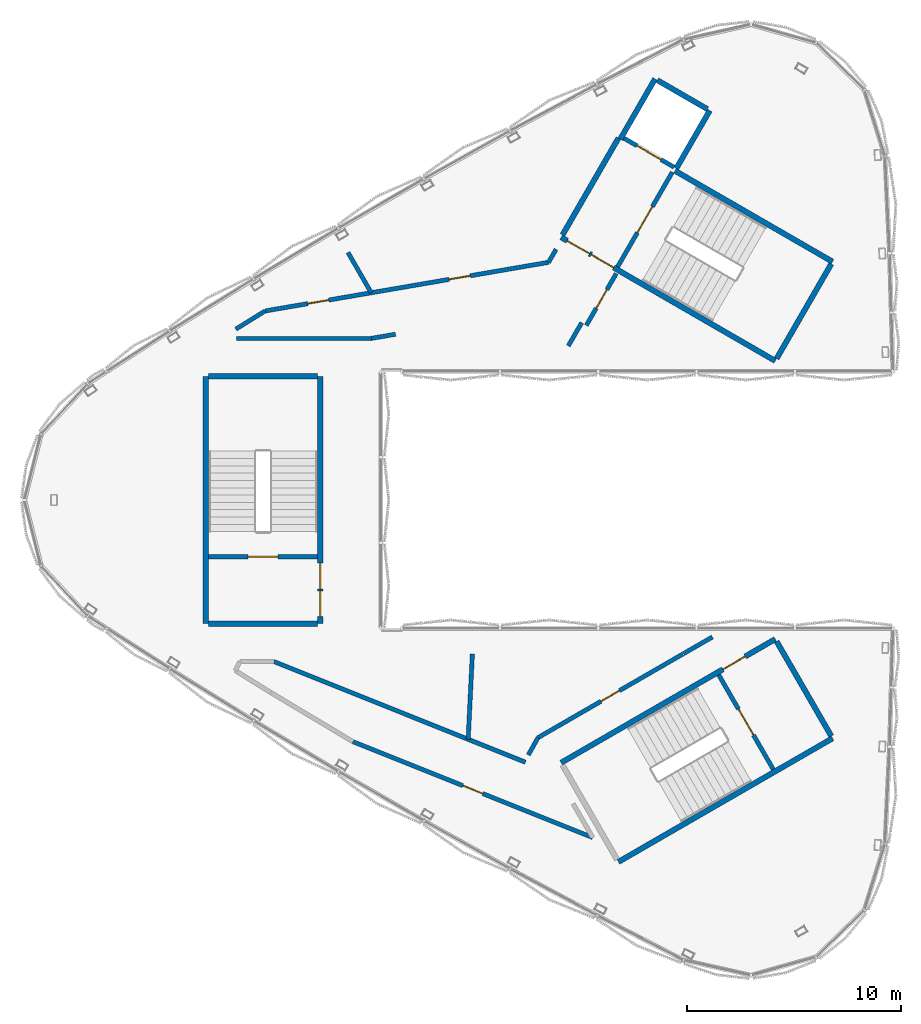
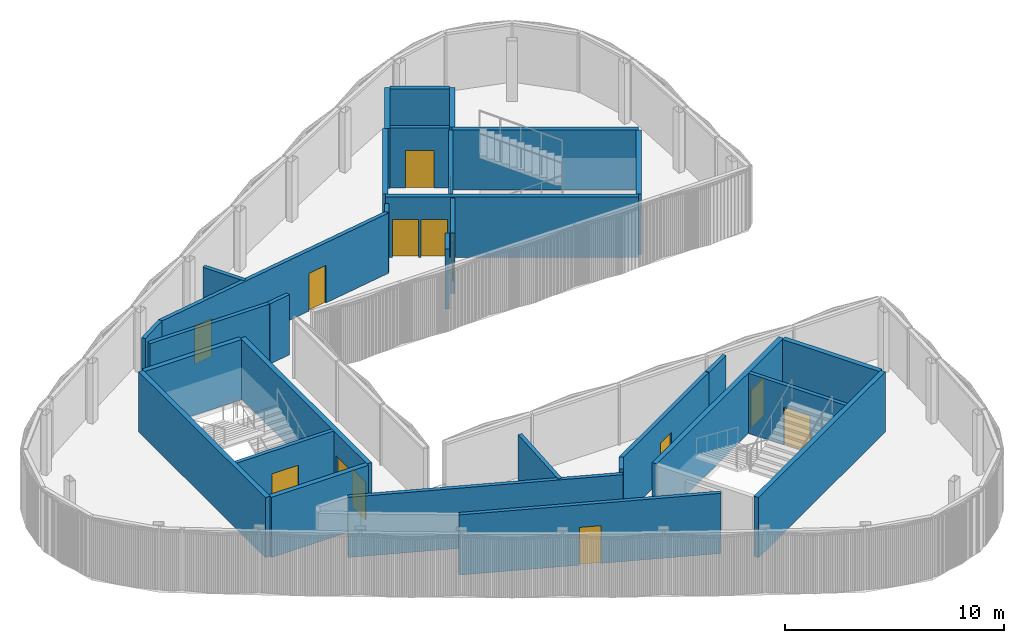
# One storey, part 6 of 16: 32 walls, 14 doors, 14 openings.
"""IFC4 building model written with IfcOpenShell, lengths in metres."""

import ifcopenshell
import ifcopenshell.guid

model = None  # the IFC model being written
_history = None  # IfcOwnerHistory: only IFC2X3 demands one
_inside = {}  # id of a spatial element -> (the spatial element, [elements in it])
_under = {}  # id of a project, library or spatial element -> (it, [spatial elements below it])
_declared = {}  # id of a project -> (the project, [libraries it declares])
_typed = {}  # id of a type object -> (the type object, [elements of that type])
_made_of = {}  # id of a material, layer set ... -> (it, [elements and type objects made of it])


def new_model(schema):
    """Start an empty IFC model of exactly this schema.

    Asked for "IFC4X3", IfcOpenShell would pick the latest addendum, in which some entities
    have other attributes; the version numbers below select the first issue.
    IFC2X3 requires an IfcOwnerHistory on every rooted entity: one is made here for all.
    """
    global model, _history
    if schema == "IFC4X3":
        model = ifcopenshell.file(schema_version=(4, 3, 0, 0))
    else:
        model = ifcopenshell.file(schema=schema)
    _inside.clear()
    _under.clear()
    _declared.clear()
    _typed.clear()
    _made_of.clear()
    _history = None
    if model.schema == "IFC2X3":
        org = make("IfcOrganization", Name="unknown")
        user = make(
            "IfcPersonAndOrganization",
            ThePerson=make("IfcPerson", FamilyName="unknown"),
            TheOrganization=org,
        )
        app = make(
            "IfcApplication",
            ApplicationDeveloper=org,
            Version="unknown",
            ApplicationFullName="unknown",
            ApplicationIdentifier="unknown",
        )
        _history = make(
            "IfcOwnerHistory",
            OwningUser=user,
            OwningApplication=app,
            ChangeAction="ADDED",
            CreationDate=0,
        )
    return model


def make(cls, **values):
    """One entity of the class cls with the attributes given. An attribute that is None is left unset."""
    return model.create_entity(
        cls, **{name: value for name, value in values.items() if value is not None}
    )


def rooted(cls, **values):
    """An entity with a GlobalId (a new one), such as an element, a storey or a relation."""
    return make(cls, GlobalId=ifcopenshell.guid.new(), OwnerHistory=_history, **values)


def si_unit(unit_type, name, prefix=None):
    """IfcSIUnit, for example si_unit("LENGTHUNIT", "METRE", prefix="MILLI")."""
    return make("IfcSIUnit", UnitType=unit_type, Prefix=prefix, Name=name)


def assignment(units):
    """IfcUnitAssignment: the units of a project."""
    return None if units is None else make("IfcUnitAssignment", Units=units)


def point(xyz):
    """IfcCartesianPoint."""
    return None if xyz is None else make("IfcCartesianPoint", Coordinates=xyz)


def direction(xyz):
    """IfcDirection."""
    return None if xyz is None else make("IfcDirection", DirectionRatios=xyz)


def frame(location, z_axis=None, x_axis=None):
    """IfcAxis2Placement3D, a coordinate frame: its origin and axes. An axis left out is left unset."""
    return make(
        "IfcAxis2Placement3D",
        Location=point(location),
        Axis=direction(z_axis),
        RefDirection=direction(x_axis),
    )


def frame_2d(location, x_axis=None):
    """IfcAxis2Placement2D, a coordinate frame in the plane: its origin and x axis."""
    return make(
        "IfcAxis2Placement2D", Location=point(location), RefDirection=direction(x_axis)
    )


def origin():
    """The frame at (0, 0, 0) with its axes left unset."""
    return frame((0.0, 0.0, 0.0))


def place(relative_to, where):
    """IfcLocalPlacement: puts the frame where relative to a parent placement (None: the world)."""
    return make(
        "IfcLocalPlacement", PlacementRelTo=relative_to, RelativePlacement=where
    )


def context(
    kind, dimensions, precision=None, world=None, true_north=None, identifier=None
):
    """IfcGeometricRepresentationContext, for example the 3D "Model" context."""
    return make(
        "IfcGeometricRepresentationContext",
        ContextIdentifier=identifier,
        ContextType=kind,
        CoordinateSpaceDimension=dimensions,
        Precision=precision,
        WorldCoordinateSystem=world,
        TrueNorth=true_north,
    )


def subcontext(parent, identifier, kind, view, scale=None):
    """IfcGeometricRepresentationSubContext, for example "Body" below "Model"."""
    return make(
        "IfcGeometricRepresentationSubContext",
        ContextIdentifier=identifier,
        ContextType=kind,
        ParentContext=parent,
        TargetScale=scale,
        TargetView=view,
    )


def project(units=None, contexts=None):
    """IfcProject with its units and contexts."""
    return rooted(
        "IfcProject",
        Name="project",
        RepresentationContexts=contexts,
        UnitsInContext=assignment(units),
    )


def spatial(cls, under=None, at=None, **own):
    """A site, building, storey or space (cls), placed at a placement, below another one or the project."""
    s = rooted(cls, ObjectPlacement=at, **own)
    if under is not None:
        _under.setdefault(under.id(), (under, []))[1].append(s)
    return s


def profile(cls, at=None, kind="AREA", **sizes):
    """A parametric profile (cls). Its sizes go by their IFC names, for example OverallWidth=200.0."""
    return make(cls, ProfileType=kind, Position=at, **sizes)


def rectangle(**sizes):
    """IfcRectangleProfileDef."""
    return profile("IfcRectangleProfileDef", **sizes)


def extrude(swept, where, along, depth):
    """IfcExtrudedAreaSolid: the profile swept, set in the frame where, extruded along a direction by depth."""
    return make(
        "IfcExtrudedAreaSolid",
        SweptArea=swept,
        Position=where,
        ExtrudedDirection=direction(along),
        Depth=depth,
    )


def shape(context_of_items, identifier, shape_type, items):
    """IfcShapeRepresentation: the items that make up one representation, for example the "Body"."""
    return make(
        "IfcShapeRepresentation",
        ContextOfItems=context_of_items,
        RepresentationIdentifier=identifier,
        RepresentationType=shape_type,
        Items=items,
    )


def material(Name=None, Category=None):
    """IfcMaterial."""
    return make("IfcMaterial", Name=Name, Category=Category)


def layer(
    of_material, thickness, ventilated=None, Name=None, Category=None, Priority=None
):
    """IfcMaterialLayer: one layer of a wall or slab, of a material (None: an air gap)."""
    return make(
        "IfcMaterialLayer",
        Material=of_material,
        LayerThickness=thickness,
        IsVentilated=ventilated,
        Name=Name,
        Category=Category,
        Priority=Priority,
    )


def layer_set(layers, Name=None):
    """IfcMaterialLayerSet."""
    return make("IfcMaterialLayerSet", MaterialLayers=layers, LayerSetName=Name)


def made_of(thing, what):
    """Note that an element or type object is made of a material, layer set ...; save() writes the relation."""
    if what is not None:
        _made_of.setdefault(what.id(), (what, []))[1].append(thing)
    return thing


def type_object(cls, material=None, **own):
    """A type object (cls), such as IfcWallType, which elements share."""
    return made_of(rooted(cls, **own), material)


def element(
    cls,
    number,
    at=None,
    inside=None,
    cuts=None,
    type_object=None,
    material=None,
    context=None,
    identifier="Body",
    shape_type=None,
    held_by="IfcProductDefinitionShape",
    body=None,
    shapes=None,
    **own,
):
    """One element of the class cls, such as IfcWall. Its Tag is "e" and its number.

    at: its placement. inside: the storey or other place that contains it. cuts: it is an
    opening in that element (IfcRelVoidsElement). A single representation is given by context,
    identifier, shape_type and body (its items); several are given by shapes. held_by: the class
    of the entity that holds the representations. save() writes the other relations.
    """
    e = rooted(cls, Tag="e%d" % number, ObjectPlacement=at, **own)
    if body is not None:
        shapes = [shape(context, identifier, shape_type, body)]
    if shapes is not None:
        e.Representation = make(held_by, Representations=shapes)
    if inside is not None:
        _inside.setdefault(inside.id(), (inside, []))[1].append(e)
    if cuts is not None:
        rooted(
            "IfcRelVoidsElement", RelatingBuildingElement=cuts, RelatedOpeningElement=e
        )
    if type_object is not None:
        _typed.setdefault(type_object.id(), (type_object, []))[1].append(e)
    return made_of(e, material)


def fill(opening, filler):
    """IfcRelFillsElement: the door or window that sits in an opening."""
    return rooted(
        "IfcRelFillsElement",
        RelatingOpeningElement=opening,
        RelatedBuildingElement=filler,
    )


def aggregate(whole, parts):
    """IfcRelAggregates: a whole, such as a stair, and the parts it consists of."""
    return rooted("IfcRelAggregates", RelatingObject=whole, RelatedObjects=parts)


def save(model, path):
    """Write the relations noted so far, then the file.

    IfcRelAggregates (storeys below a building ...), IfcRelContainedInSpatialStructure (elements
    in a storey), IfcRelDefinesByType, IfcRelAssociatesMaterial and IfcRelDeclares: one each for
    every whole, place, type object, material and project.
    """
    for whole, parts in _under.values():
        aggregate(whole, parts)
    for where, things in _inside.values():
        rooted(
            "IfcRelContainedInSpatialStructure",
            RelatedElements=things,
            RelatingStructure=where,
        )
    for kind, things in _typed.values():
        rooted("IfcRelDefinesByType", RelatedObjects=things, RelatingType=kind)
    for what, things in _made_of.values():
        rooted("IfcRelAssociatesMaterial", RelatedObjects=things, RelatingMaterial=what)
    for by, libraries in _declared.values():
        rooted("IfcRelDeclares", RelatingContext=by, RelatedDefinitions=libraries)
    model.write(path)


model = new_model("IFC4")

# Units and contexts
model_context = context("Model", 3, precision=1e-05, world=origin(), true_north=direction((0.0, 1.0)))
body_context = subcontext(model_context, "Body", "Model", "MODEL_VIEW")
ifc_project = project(units=[si_unit("LENGTHUNIT", "METRE"), si_unit("AREAUNIT", "SQUARE_METRE"), si_unit("VOLUMEUNIT", "CUBIC_METRE"), si_unit("PLANEANGLEUNIT", "RADIAN"), si_unit("MASSUNIT", "GRAM", prefix="KILO")], contexts=[model_context])

# Site, building, storey
site_placement = place(None, origin())
site = spatial("IfcSite", under=ifc_project, at=site_placement, CompositionType="ELEMENT")
building_placement = place(site_placement, origin())
building = spatial("IfcBuilding", under=site, at=building_placement, Name="Tamra Quay Hotel Tower", CompositionType="ELEMENT")
storey_placement = place(building_placement, frame((0.0, 0.0, 324.199951171875)))
storey = spatial("IfcBuildingStorey", under=building, at=storey_placement, Name="Roof crown 2", CompositionType="ELEMENT", Elevation=324.199951171875)

# Wall, opening, door
ifc_material_1 = material(Name="Concrete M70", Category="concrete")
ifc_layer_1 = layer(ifc_material_1, 0.199951171875)
ifc_layer_set_1 = layer_set([ifc_layer_1], Name="Concrete M70 core wall 200")
wall_type_1 = type_object("IfcWallType", Name="Concrete M70 core wall 200", PredefinedType="SHEAR", material=ifc_layer_set_1)
wall_1_placement = place(storey_placement, frame((-10.96337890625, -2.64990234375, 0.0), z_axis=(0.0, 0.0, 1.0), x_axis=(-1.0, 0.0, 0.0)))
wall_1 = element("IfcWall", 1, at=wall_1_placement, inside=storey, type_object=wall_type_1, Name="CW2", PredefinedType="SHEAR", context=body_context, shape_type="SweptSolid", body=[
    extrude(rectangle(XDim=5.097900390625, YDim=0.199951171875, at=frame_2d((2.548828125, 0.0))), origin(), (0.0, 0.0, 1.0), 3.35009765625),
])
opening_1_placement = place(wall_1_placement, frame((1.84912109375, 0.0, 0.0)))
opening_1 = element("IfcOpeningElement", 2, at=opening_1_placement, cuts=wall_1, Name="Opening FD2", PredefinedType="OPENING", context=body_context, shape_type="SweptSolid", body=[
    extrude(rectangle(XDim=1.39990234375, YDim=2.10009765625, at=frame_2d((0.699951171875, 1.050048828125))), frame((0.0, 0.10986328125, 0.0), z_axis=(0.0, -1.0, 0.0), x_axis=(1.0, 0.0, 0.0)), (0.0, 0.0, 1.0), 0.219970703125),
])
ifc_material_2 = material(Name="Core door FD2 1400x2100 LH")
door_type_1 = type_object("IfcDoorType", Name="Core door FD2 1400x2100 LH", OperationType="NOTDEFINED", PredefinedType="DOOR", material=ifc_material_2)
door_1_placement = place(opening_1_placement, origin())
door_1 = element("IfcDoor", 3, at=door_1_placement, inside=storey, type_object=door_type_1, Name="FD2", OperationType="SINGLE_SWING_LEFT", OverallHeight=2.10009765625, OverallWidth=1.39990234375, PredefinedType="DOOR", context=body_context, shape_type="SweptSolid", body=[
    extrude(rectangle(XDim=1.39990234375, YDim=2.10009765625, at=frame_2d((0.699951171875, 1.050048828125))), frame((0.0, 0.02490234375, 0.0), z_axis=(0.0, -1.0, 0.0), x_axis=(1.0, 0.0, 0.0)), (0.0, 0.0, 1.0), 0.050048828125),
])
fill(opening_1, door_1)

wall_2_placement = place(storey_placement, frame((3.056640625, 10.89453125, 0.0), z_axis=(0.0, 0.0, 1.0), x_axis=(0.499991534382, 0.866030291356, 0.0)))
wall_2 = element("IfcWall", 4, at=wall_2_placement, inside=storey, type_object=wall_type_1, Name="CW2", PredefinedType="SHEAR", context=body_context, shape_type="SweptSolid", body=[
    extrude(rectangle(XDim=5.10498046875, YDim=0.199951171875, at=frame_2d((2.552490234375, 0.0))), origin(), (0.0, 0.0, 1.0), 3.35009765625),
])
opening_2_placement = place(wall_2_placement, frame((1.84912109375, 0.0, 0.0)))
opening_2 = element("IfcOpeningElement", 5, at=opening_2_placement, cuts=wall_2, Name="Opening FD2", PredefinedType="OPENING", context=body_context, shape_type="SweptSolid", body=[
    extrude(rectangle(XDim=1.39990234375, YDim=2.10009765625, at=frame_2d((0.699951171875, 1.050048828125))), frame((0.0, 0.10986328125, 0.0), z_axis=(0.0, -1.0, 0.0), x_axis=(1.0, 0.0, 0.0)), (0.0, 0.0, 1.0), 0.219970703125),
])
door_2_placement = place(opening_2_placement, origin())
door_2 = element("IfcDoor", 6, at=door_2_placement, inside=storey, type_object=door_type_1, Name="FD2", OperationType="SINGLE_SWING_LEFT", OverallHeight=2.10009765625, OverallWidth=1.39990234375, PredefinedType="DOOR", context=body_context, shape_type="SweptSolid", body=[
    extrude(rectangle(XDim=1.39990234375, YDim=2.10009765625, at=frame_2d((0.699951171875, 1.050048828125))), frame((0.0, 0.02490234375, 0.0), z_axis=(0.0, -1.0, 0.0), x_axis=(1.0, 0.0, 0.0)), (0.0, 0.0, 1.0), 0.050048828125),
])
fill(opening_2, door_2)

wall_3_placement = place(storey_placement, frame((5.68798828125, 15.5517578125, 0.0), z_axis=(0.0, 0.0, 1.0), x_axis=(-0.866007835605, 0.500030427744, 0.0)))
wall_3 = element("IfcWall", 7, at=wall_3_placement, inside=storey, type_object=wall_type_1, Name="CW2", PredefinedType="SHEAR", context=body_context, shape_type="SweptSolid", body=[
    extrude(rectangle(XDim=2.698974609375, YDim=0.199951171875, at=frame_2d((1.349609375, 0.0))), origin(), (0.0, 0.0, 1.0), 3.35009765625),
])
opening_3_placement = place(wall_3_placement, frame((0.699951171875, 0.0, 0.0)))
opening_3 = element("IfcOpeningElement", 8, at=opening_3_placement, cuts=wall_3, Name="Opening LD", PredefinedType="OPENING", context=body_context, shape_type="SweptSolid", body=[
    extrude(rectangle(XDim=1.300048828125, YDim=2.10009765625, at=frame_2d((0.64990234375, 1.050048828125))), frame((0.0, 0.10986328125, 0.0), z_axis=(0.0, -1.0, 0.0), x_axis=(1.0, 0.0, 0.0)), (0.0, 0.0, 1.0), 0.219970703125),
])
ifc_material_3 = material(Name="Landing door LD 1300 sliding to right")
door_type_2 = type_object("IfcDoorType", Name="Landing door LD 1300 sliding to right", OperationType="NOTDEFINED", PredefinedType="DOOR", material=ifc_material_3)
door_3_placement = place(opening_3_placement, origin())
door_3 = element("IfcDoor", 9, at=door_3_placement, inside=storey, type_object=door_type_2, Name="LD", OperationType="SLIDING_TO_RIGHT", OverallHeight=2.10009765625, OverallWidth=1.300048828125, PredefinedType="DOOR", context=body_context, shape_type="SweptSolid", body=[
    extrude(rectangle(XDim=1.300048828125, YDim=2.10009765625, at=frame_2d((0.64990234375, 1.050048828125))), frame((0.0, 0.02490234375, 0.0), z_axis=(0.0, -1.0, 0.0), x_axis=(1.0, 0.0, 0.0)), (0.0, 0.0, 1.0), 0.050048828125),
])
fill(opening_3, door_3)

wall_4_placement = place(storey_placement, frame((7.776611328125, -8.16943359375, 0.0), z_axis=(0.0, 0.0, 1.0), x_axis=(0.500007101845, -0.866021303493, 0.0)))
wall_4 = element("IfcWall", 10, at=wall_4_placement, inside=storey, type_object=wall_type_1, Name="CW2", PredefinedType="SHEAR", context=body_context, shape_type="SweptSolid", body=[
    extrude(rectangle(XDim=5.09814453125, YDim=0.199951171875, at=frame_2d((2.549072265625, 0.0))), origin(), (0.0, 0.0, 1.0), 3.35009765625),
])
opening_4_placement = place(wall_4_placement, frame((1.84912109375, 0.0, 0.0)))
opening_4 = element("IfcOpeningElement", 11, at=opening_4_placement, cuts=wall_4, Name="Opening FD2", PredefinedType="OPENING", context=body_context, shape_type="SweptSolid", body=[
    extrude(rectangle(XDim=1.39990234375, YDim=2.10009765625, at=frame_2d((0.699951171875, 1.050048828125))), frame((0.0, 0.10986328125, 0.0), z_axis=(0.0, -1.0, 0.0), x_axis=(1.0, 0.0, 0.0)), (0.0, 0.0, 1.0), 0.219970703125),
])
door_4_placement = place(opening_4_placement, origin())
door_4 = element("IfcDoor", 12, at=door_4_placement, inside=storey, type_object=door_type_1, Name="FD2", OperationType="SINGLE_SWING_LEFT", OverallHeight=2.10009765625, OverallWidth=1.39990234375, PredefinedType="DOOR", context=body_context, shape_type="SweptSolid", body=[
    extrude(rectangle(XDim=1.39990234375, YDim=2.10009765625, at=frame_2d((0.699951171875, 1.050048828125))), frame((0.0, 0.02490234375, 0.0), z_axis=(0.0, -1.0, 0.0), x_axis=(1.0, 0.0, 0.0)), (0.0, 0.0, 1.0), 0.050048828125),
])
fill(opening_4, door_4)

# Wall, openings, doors
ifc_layer_2 = layer(ifc_material_1, 0.25)
ifc_layer_set_2 = layer_set([ifc_layer_2], Name="Concrete M70 core wall 250")
wall_type_2 = type_object("IfcWallType", Name="Concrete M70 core wall 250", PredefinedType="SHEAR", material=ifc_layer_set_2)
wall_5_placement = place(storey_placement, frame((-10.83740234375, 5.77490234375, 0.0), z_axis=(0.0, 0.0, 1.0), x_axis=(0.0, -1.0, 0.0)))
wall_5 = element("IfcWall", 13, at=wall_5_placement, inside=storey, type_object=wall_type_2, Name="CW1", PredefinedType="SHEAR", context=body_context, shape_type="SweptSolid", body=[
    extrude(rectangle(XDim=11.5498046875, YDim=0.25, at=frame_2d((5.77490234375, 0.0))), origin(), (0.0, 0.0, 1.0), 3.35009765625),
])
opening_5_placement = place(wall_5_placement, frame((10.02490234375, 0.0, 0.0)))
opening_5 = element("IfcOpeningElement", 14, at=opening_5_placement, cuts=wall_5, Name="Opening FD1", PredefinedType="OPENING", context=body_context, shape_type="SweptSolid", body=[
    extrude(rectangle(XDim=1.199951171875, YDim=2.10009765625, at=frame_2d((0.60009765625, 1.050048828125))), frame((0.0, 0.135009765625, 0.0), z_axis=(0.0, -1.0, 0.0), x_axis=(1.0, 0.0, 0.0)), (0.0, 0.0, 1.0), 0.27001953125),
])
opening_6_placement = place(wall_5_placement, frame((8.72509765625, 0.0, 0.0)))
opening_6 = element("IfcOpeningElement", 15, at=opening_6_placement, cuts=wall_5, Name="Opening FD1", PredefinedType="OPENING", context=body_context, shape_type="SweptSolid", body=[
    extrude(rectangle(XDim=1.199951171875, YDim=2.10009765625, at=frame_2d((0.60009765625, 1.050048828125))), frame((0.0, 0.135009765625, 0.0), z_axis=(0.0, -1.0, 0.0), x_axis=(1.0, 0.0, 0.0)), (0.0, 0.0, 1.0), 0.27001953125),
])
ifc_material_4 = material(Name="Core door FD1 1200x2100 LH")
door_type_3 = type_object("IfcDoorType", Name="Core door FD1 1200x2100 LH", OperationType="NOTDEFINED", PredefinedType="DOOR", material=ifc_material_4)
door_5_placement = place(opening_5_placement, origin())
door_5 = element("IfcDoor", 16, at=door_5_placement, inside=storey, type_object=door_type_3, Name="FD1", OperationType="SINGLE_SWING_LEFT", OverallHeight=2.10009765625, OverallWidth=1.199951171875, PredefinedType="DOOR", context=body_context, shape_type="SweptSolid", body=[
    extrude(rectangle(XDim=1.199951171875, YDim=2.10009765625, at=frame_2d((0.60009765625, 1.050048828125))), frame((0.0, 0.02490234375, 0.0), z_axis=(0.0, -1.0, 0.0), x_axis=(1.0, 0.0, 0.0)), (0.0, 0.0, 1.0), 0.050048828125),
])
fill(opening_5, door_5)
ifc_material_5 = material(Name="Core door FD1 1200x2100 RH")
door_type_4 = type_object("IfcDoorType", Name="Core door FD1 1200x2100 RH", OperationType="NOTDEFINED", PredefinedType="DOOR", material=ifc_material_5)
door_6_placement = place(opening_6_placement, origin())
door_6 = element("IfcDoor", 17, at=door_6_placement, inside=storey, type_object=door_type_4, Name="FD1", OperationType="SINGLE_SWING_RIGHT", OverallHeight=2.10009765625, OverallWidth=1.199951171875, PredefinedType="DOOR", context=body_context, shape_type="SweptSolid", body=[
    extrude(rectangle(XDim=1.199951171875, YDim=2.10009765625, at=frame_2d((0.60009765625, 1.050048828125))), frame((0.0, 0.02490234375, 0.0), z_axis=(0.0, -1.0, 0.0), x_axis=(1.0, 0.0, 0.0)), (0.0, 0.0, 1.0), 0.050048828125),
])
fill(opening_6, door_6)

# Walls
wall_6_placement = place(storey_placement, frame((-16.187255859375, -5.77490234375, 0.0), z_axis=(0.0, 0.0, 1.0), x_axis=(0.0, 1.0, 0.0)))
element("IfcWall", 18, at=wall_6_placement, inside=storey, type_object=wall_type_2, Name="CW1", PredefinedType="SHEAR", context=body_context, shape_type="SweptSolid", body=[
    extrude(rectangle(XDim=11.5498046875, YDim=0.25, at=frame_2d((5.77490234375, 0.0))), origin(), (0.0, 0.0, 1.0), 3.35009765625),
])
for number, where, z_axis, x_axis, name in (
    (19, (-10.962646484375, -5.77490234375, 0.0), (0.0, 0.0, 1.0), (-1.0, 0.0, 0.0), "CW1"),
    (20, (-16.061767578125, 5.77490234375, 0.0), (0.0, 0.0, 1.0), (1.0, 0.0, 0.0), "CW1"),
):
    element("IfcWall", number, at=place(storey_placement, frame(where, z_axis=z_axis, x_axis=x_axis)), inside=storey, type_object=wall_type_2, Name=name, PredefinedType="SHEAR", context=body_context, shape_type="SweptSolid", body=[
        extrude(rectangle(XDim=5.09912109375, YDim=0.25, at=frame_2d((2.549560546875, 0.0))), origin(), (0.0, 0.0, 1.0), 3.35009765625),
    ])

# Wall, openings, doors
wall_7_placement = place(storey_placement, frame((10.419921875, 6.497802734375, 0.0), z_axis=(0.0, 0.0, 1.0), x_axis=(-0.866021906294, 0.500006057782, 0.0)))
wall_7 = element("IfcWall", 21, at=wall_7_placement, inside=storey, type_object=wall_type_2, Name="CW1", PredefinedType="SHEAR", context=body_context, shape_type="SweptSolid", body=[
    extrude(rectangle(XDim=11.550048828125, YDim=0.25, at=frame_2d((5.77490234375, 0.0))), origin(), (0.0, 0.0, 1.0), 3.35009765625),
])
opening_7_placement = place(wall_7_placement, frame((10.02490234375, 0.0, 0.0)))
opening_7 = element("IfcOpeningElement", 22, at=opening_7_placement, cuts=wall_7, Name="Opening FD1", PredefinedType="OPENING", context=body_context, shape_type="SweptSolid", body=[
    extrude(rectangle(XDim=1.199951171875, YDim=2.10009765625, at=frame_2d((0.60009765625, 1.050048828125))), frame((0.0, 0.135009765625, 0.0), z_axis=(0.0, -1.0, 0.0), x_axis=(1.0, 0.0, 0.0)), (0.0, 0.0, 1.0), 0.27001953125),
])
opening_8_placement = place(wall_7_placement, frame((8.724853515625, 0.0, 0.0)))
opening_8 = element("IfcOpeningElement", 23, at=opening_8_placement, cuts=wall_7, Name="Opening FD1", PredefinedType="OPENING", context=body_context, shape_type="SweptSolid", body=[
    extrude(rectangle(XDim=1.199951171875, YDim=2.10009765625, at=frame_2d((0.60009765625, 1.050048828125))), frame((0.0, 0.135009765625, 0.0), z_axis=(0.0, -1.0, 0.0), x_axis=(1.0, 0.0, 0.0)), (0.0, 0.0, 1.0), 0.27001953125),
])
door_7_placement = place(opening_7_placement, origin())
door_7 = element("IfcDoor", 24, at=door_7_placement, inside=storey, type_object=door_type_3, Name="FD1", OperationType="SINGLE_SWING_LEFT", OverallHeight=2.10009765625, OverallWidth=1.199951171875, PredefinedType="DOOR", context=body_context, shape_type="SweptSolid", body=[
    extrude(rectangle(XDim=1.199951171875, YDim=2.10009765625, at=frame_2d((0.60009765625, 1.050048828125))), frame((0.0, 0.02490234375, 0.0), z_axis=(0.0, -1.0, 0.0), x_axis=(1.0, 0.0, 0.0)), (0.0, 0.0, 1.0), 0.050048828125),
])
fill(opening_7, door_7)
door_8_placement = place(opening_8_placement, origin())
door_8 = element("IfcDoor", 25, at=door_8_placement, inside=storey, type_object=door_type_4, Name="FD1", OperationType="SINGLE_SWING_RIGHT", OverallHeight=2.10009765625, OverallWidth=1.199951171875, PredefinedType="DOOR", context=body_context, shape_type="SweptSolid", body=[
    extrude(rectangle(XDim=1.199951171875, YDim=2.10009765625, at=frame_2d((0.60009765625, 1.050048828125))), frame((0.0, 0.02490234375, 0.0), z_axis=(0.0, -1.0, 0.0), x_axis=(1.0, 0.0, 0.0)), (0.0, 0.0, 1.0), 0.050048828125),
])
fill(opening_8, door_8)

# Walls
wall_8_placement = place(storey_placement, frame((5.733642578125, 15.381103515625, 0.0), z_axis=(0.0, 0.0, 1.0), x_axis=(0.866028703517, -0.499994284652, 0.0)))
element("IfcWall", 26, at=wall_8_placement, inside=storey, type_object=wall_type_2, Name="CW1", PredefinedType="SHEAR", context=body_context, shape_type="SweptSolid", body=[
    extrude(rectangle(XDim=8.5, YDim=0.25, at=frame_2d((4.25, 0.0))), origin(), (0.0, 0.0, 1.0), 3.35009765625),
])
wall_9_placement = place(storey_placement, frame((0.47998046875, 12.38134765625, 0.0), z_axis=(0.0, 0.0, 1.0), x_axis=(0.49999885962, 0.866026062182, 0.0)))
element("IfcWall", 27, at=wall_9_placement, inside=storey, type_object=wall_type_2, Name="CW1", PredefinedType="SHEAR", context=body_context, shape_type="SweptSolid", body=[
    extrude(rectangle(XDim=5.224609375, YDim=0.25, at=frame_2d((2.6123046875, 0.0))), origin(), (0.0, 0.0, 1.0), 3.35009765625),
])
wall_10_placement = place(storey_placement, frame((13.0322265625, 11.0224609375, 0.0), z_axis=(0.0, 0.0, 1.0), x_axis=(-0.499995990076, -0.866027718903, 0.0)))
element("IfcWall", 28, at=wall_10_placement, inside=storey, type_object=wall_type_2, Name="CW1", PredefinedType="SHEAR", context=body_context, shape_type="SweptSolid", body=[
    extrude(rectangle(XDim=5.09912109375, YDim=0.25, at=frame_2d((2.549560546875, 0.0))), origin(), (0.0, 0.0, 1.0), 3.35009765625),
])
wall_11_placement = place(storey_placement, frame((7.358642578125, 18.19580078125, 0.0), z_axis=(0.0, 0.0, 1.0), x_axis=(-0.4999794672, -0.866037258078, 0.0)))
element("IfcWall", 29, at=wall_11_placement, inside=storey, type_object=wall_type_2, Name="CW1", PredefinedType="SHEAR", context=body_context, shape_type="SweptSolid", body=[
    extrude(rectangle(XDim=3.124755859375, YDim=0.25, at=frame_2d((1.5625, 0.0))), origin(), (0.0, 0.0, 1.0), 3.35009765625),
])
wall_12_placement = place(storey_placement, frame((3.178955078125, 16.856201171875, 0.0), z_axis=(0.0, 0.0, 1.0), x_axis=(0.500017246033, 0.866015446554, 0.0)))
element("IfcWall", 30, at=wall_12_placement, inside=storey, type_object=wall_type_2, Name="CW1", PredefinedType="SHEAR", context=body_context, shape_type="SweptSolid", body=[
    extrude(rectangle(XDim=3.25, YDim=0.25, at=frame_2d((1.625, 0.0))), origin(), (0.0, 0.0, 1.0), 3.35009765625),
])
wall_13_placement = place(storey_placement, frame((4.91259765625, 19.60791015625, 0.0), z_axis=(0.0, 0.0, 1.0), x_axis=(0.866030449233, -0.499991260925, 0.0)))
element("IfcWall", 31, at=wall_13_placement, inside=storey, type_object=wall_type_2, Name="CW1", PredefinedType="SHEAR", context=body_context, shape_type="SweptSolid", body=[
    extrude(rectangle(XDim=2.69921875, YDim=0.25, at=frame_2d((1.349609375, 0.0))), origin(), (0.0, 0.0, 1.0), 3.35009765625),
])

# Wall, opening, door
wall_14_placement = place(storey_placement, frame((0.417236328125, -12.27294921875, 0.0), z_axis=(0.0, 0.0, 1.0), x_axis=(0.866021906294, 0.500006057782, 0.0)))
wall_14 = element("IfcWall", 32, at=wall_14_placement, inside=storey, type_object=wall_type_2, Name="CW1", PredefinedType="SHEAR", context=body_context, shape_type="SweptSolid", body=[
    extrude(rectangle(XDim=11.550048828125, YDim=0.25, at=frame_2d((5.77490234375, 0.0))), origin(), (0.0, 0.0, 1.0), 3.35009765625),
])
opening_9_placement = place(wall_14_placement, frame((8.725341796875, 0.0, 0.0)))
opening_9 = element("IfcOpeningElement", 33, at=opening_9_placement, cuts=wall_14, Name="Opening FD1", PredefinedType="OPENING", context=body_context, shape_type="SweptSolid", body=[
    extrude(rectangle(XDim=1.199951171875, YDim=2.10009765625, at=frame_2d((0.60009765625, 1.050048828125))), frame((0.0, 0.135009765625, 0.0), z_axis=(0.0, -1.0, 0.0), x_axis=(1.0, 0.0, 0.0)), (0.0, 0.0, 1.0), 0.27001953125),
])
door_9_placement = place(opening_9_placement, origin())
door_9 = element("IfcDoor", 34, at=door_9_placement, inside=storey, type_object=door_type_3, Name="FD1", OperationType="SINGLE_SWING_LEFT", OverallHeight=2.10009765625, OverallWidth=1.199951171875, PredefinedType="DOOR", context=body_context, shape_type="SweptSolid", body=[
    extrude(rectangle(XDim=1.199951171875, YDim=2.10009765625, at=frame_2d((0.60009765625, 1.050048828125))), frame((0.0, 0.02490234375, 0.0), z_axis=(0.0, -1.0, 0.0), x_axis=(1.0, 0.0, 0.0)), (0.0, 0.0, 1.0), 0.050048828125),
])
fill(opening_9, door_9)

# Walls
wall_15_placement = place(storey_placement, frame((13.094970703125, -11.131103515625, 0.0), z_axis=(0.0, 0.0, 1.0), x_axis=(-0.866031059098, -0.499990204581, 0.0)))
element("IfcWall", 35, at=wall_15_placement, inside=storey, type_object=wall_type_2, Name="CW1", PredefinedType="SHEAR", context=body_context, shape_type="SweptSolid", body=[
    extrude(rectangle(XDim=11.550048828125, YDim=0.25, at=frame_2d((5.77490234375, 0.0))), origin(), (0.0, 0.0, 1.0), 3.35009765625),
])
wall_16_placement = place(storey_placement, frame((10.482666015625, -6.6064453125, 0.0), z_axis=(0.0, 0.0, 1.0), x_axis=(0.499995990076, -0.866027718903, 0.0)))
element("IfcWall", 36, at=wall_16_placement, inside=storey, type_object=wall_type_2, Name="CW1", PredefinedType="SHEAR", context=body_context, shape_type="SweptSolid", body=[
    extrude(rectangle(XDim=5.09912109375, YDim=0.25, at=frame_2d((2.549560546875, 0.0))), origin(), (0.0, 0.0, 1.0), 3.35009765625),
])
ifc_material_6 = material(Name="Partition corridor wall")
ifc_layer_3 = layer(ifc_material_6, 0.199951171875)
ifc_layer_set_3 = layer_set([ifc_layer_3], Name="Partition corridor wall")
wall_type_3 = type_object("IfcWallType", Name="Partition corridor wall", PredefinedType="PARTITIONING", material=ifc_layer_set_3)
wall_17_placement = place(storey_placement, frame((-14.781982421875, 7.98095703125, 0.0), z_axis=(0.0, 0.0, 1.0), x_axis=(0.850065227576, 0.526677423918, 0.0)))
element("IfcWall", 37, at=wall_17_placement, inside=storey, type_object=wall_type_3, Name="W-C", PredefinedType="PARTITIONING", context=body_context, shape_type="SweptSolid", body=[
    extrude(rectangle(XDim=1.614013671875, YDim=0.199951171875, at=frame_2d((0.80712890625, 0.0))), origin(), (0.0, 0.0, 1.0), 3.35009765625),
])
wall_18_placement = place(storey_placement, frame((-14.7451171875, 7.549072265625, 0.0), z_axis=(0.0, 0.0, 1.0), x_axis=(1.0, 0.0, 0.0)))
element("IfcWall", 38, at=wall_18_placement, inside=storey, type_object=wall_type_3, Name="W-C", PredefinedType="PARTITIONING", context=body_context, shape_type="SweptSolid", body=[
    extrude(rectangle(XDim=6.292236328125, YDim=0.199951171875, at=frame_2d((3.14599609375, 0.0))), origin(), (0.0, 0.0, 1.0), 3.35009765625),
])

# Wall, openings, doors
wall_19_placement = place(storey_placement, frame((-13.409912109375, 8.8310546875, 0.0), z_axis=(0.0, 0.0, 1.0), x_axis=(0.985595604043, 0.169119204382, 0.0)))
wall_19 = element("IfcWall", 39, at=wall_19_placement, inside=storey, type_object=wall_type_3, Name="W-C", PredefinedType="PARTITIONING", context=body_context, shape_type="SweptSolid", body=[
    extrude(rectangle(XDim=13.43115234375, YDim=0.199951171875, at=frame_2d((6.715576171875, 0.0))), origin(), (0.0, 0.0, 1.0), 3.35009765625),
])
opening_10_placement = place(wall_19_placement, frame((2.01220703125, 0.0, 0.0)))
opening_10 = element("IfcOpeningElement", 40, at=opening_10_placement, cuts=wall_19, Name="Opening Roof crown 2-D001", PredefinedType="OPENING", context=body_context, shape_type="SweptSolid", body=[
    extrude(rectangle(XDim=1.0, YDim=2.10009765625, at=frame_2d((0.5, 1.050048828125))), frame((0.0, 0.10986328125, 0.0), z_axis=(0.0, -1.0, 0.0), x_axis=(1.0, 0.0, 0.0)), (0.0, 0.0, 1.0), 0.219970703125),
])
opening_11_placement = place(wall_19_placement, frame((8.727783203125, 0.0, 0.0)))
opening_11 = element("IfcOpeningElement", 41, at=opening_11_placement, cuts=wall_19, Name="Opening Roof crown 2-D002", PredefinedType="OPENING", context=body_context, shape_type="SweptSolid", body=[
    extrude(rectangle(XDim=1.0, YDim=2.10009765625, at=frame_2d((0.5, 1.050048828125))), frame((0.0, 0.10986328125, 0.0), z_axis=(0.0, -1.0, 0.0), x_axis=(1.0, 0.0, 0.0)), (0.0, 0.0, 1.0), 0.219970703125),
])
ifc_material_7 = material(Name="Door service room 1000x2100")
door_type_5 = type_object("IfcDoorType", Name="Door service room 1000x2100", OperationType="NOTDEFINED", PredefinedType="DOOR", material=ifc_material_7)
door_10_placement = place(opening_10_placement, origin())
door_10 = element("IfcDoor", 42, at=door_10_placement, inside=storey, type_object=door_type_5, Name="Roof crown 2-D001", OperationType="SINGLE_SWING_LEFT", OverallHeight=2.10009765625, OverallWidth=1.0, PredefinedType="DOOR", context=body_context, shape_type="SweptSolid", body=[
    extrude(rectangle(XDim=1.0, YDim=2.10009765625, at=frame_2d((0.5, 1.050048828125))), frame((0.0, 0.02490234375, 0.0), z_axis=(0.0, -1.0, 0.0), x_axis=(1.0, 0.0, 0.0)), (0.0, 0.0, 1.0), 0.050048828125),
])
fill(opening_10, door_10)
door_11_placement = place(opening_11_placement, origin())
door_11 = element("IfcDoor", 43, at=door_11_placement, inside=storey, type_object=door_type_5, Name="Roof crown 2-D002", OperationType="SINGLE_SWING_LEFT", OverallHeight=2.10009765625, OverallWidth=1.0, PredefinedType="DOOR", context=body_context, shape_type="SweptSolid", body=[
    extrude(rectangle(XDim=1.0, YDim=2.10009765625, at=frame_2d((0.5, 1.050048828125))), frame((0.0, 0.02490234375, 0.0), z_axis=(0.0, -1.0, 0.0), x_axis=(1.0, 0.0, 0.0)), (0.0, 0.0, 1.0), 0.050048828125),
])
fill(opening_11, door_11)

# Wall
wall_20_placement = place(storey_placement, frame((-13.0029296875, -7.548828125, 0.0), z_axis=(0.0, 0.0, 1.0), x_axis=(0.928455404092, -0.371443888914, 0.0)))
element("IfcWall", 44, at=wall_20_placement, inside=storey, type_object=wall_type_3, Name="W-C", PredefinedType="PARTITIONING", context=body_context, shape_type="SweptSolid", body=[
    extrude(rectangle(XDim=12.656494140625, YDim=0.199951171875, at=frame_2d((6.328125, 0.0))), origin(), (0.0, 0.0, 1.0), 3.35009765625),
])

# Wall, opening, door
wall_21_placement = place(storey_placement, frame((-9.31201171875, -11.2900390625, 0.0), z_axis=(0.0, 0.0, 1.0), x_axis=(0.928471108539, -0.371404631914, 0.0)))
wall_21 = element("IfcWall", 45, at=wall_21_placement, inside=storey, type_object=wall_type_3, Name="W-C", PredefinedType="PARTITIONING", context=body_context, shape_type="SweptSolid", body=[
    extrude(rectangle(XDim=12.06494140625, YDim=0.199951171875, at=frame_2d((6.032470703125, 0.0))), origin(), (0.0, 0.0, 1.0), 3.35009765625),
])
opening_12_placement = place(wall_21_placement, frame((5.533447265625, 0.0, 0.0)))
opening_12 = element("IfcOpeningElement", 46, at=opening_12_placement, cuts=wall_21, Name="Opening Roof crown 2-D005", PredefinedType="OPENING", context=body_context, shape_type="SweptSolid", body=[
    extrude(rectangle(XDim=1.0, YDim=2.10009765625, at=frame_2d((0.5, 1.050048828125))), frame((0.0, 0.10986328125, 0.0), z_axis=(0.0, -1.0, 0.0), x_axis=(1.0, 0.0, 0.0)), (0.0, 0.0, 1.0), 0.219970703125),
])
door_12_placement = place(opening_12_placement, frame((1.0, 0.0, 0.0), z_axis=(0.0, 0.0, 1.0), x_axis=(-1.0, 0.0, 0.0)))
door_12 = element("IfcDoor", 47, at=door_12_placement, inside=storey, type_object=door_type_5, Name="Roof crown 2-D005", OperationType="SINGLE_SWING_LEFT", OverallHeight=2.10009765625, OverallWidth=1.0, PredefinedType="DOOR", context=body_context, shape_type="SweptSolid", body=[
    extrude(rectangle(XDim=1.0, YDim=2.10009765625, at=frame_2d((0.5, 1.050048828125))), frame((0.0, 0.02490234375, 0.0), z_axis=(0.0, -1.0, 0.0), x_axis=(1.0, 0.0, 0.0)), (0.0, 0.0, 1.0), 0.050048828125),
])
fill(opening_12, door_12)

# Walls
wall_22_placement = place(storey_placement, frame((-8.452880859375, 7.549072265625, 0.0), z_axis=(0.0, 0.0, 1.0), x_axis=(0.985624279668, 0.168952003035, 0.0)))
element("IfcWall", 48, at=wall_22_placement, inside=storey, type_object=wall_type_3, Name="W-C", PredefinedType="PARTITIONING", context=body_context, shape_type="SweptSolid", body=[
    extrude(rectangle(XDim=1.1474609375, YDim=0.199951171875, at=frame_2d((0.57373046875, 0.0))), origin(), (0.0, 0.0, 1.0), 3.35009765625),
])
wall_23_placement = place(storey_placement, frame((-1.115966796875, -11.909912109375, 0.0), z_axis=(0.0, 0.0, 1.0), x_axis=(0.488193721835, 0.872735292033, 0.0)))
element("IfcWall", 49, at=wall_23_placement, inside=storey, type_object=wall_type_3, Name="W-C", PredefinedType="PARTITIONING", context=body_context, shape_type="SweptSolid", body=[
    extrude(rectangle(XDim=0.92578125, YDim=0.199951171875, at=frame_2d((0.462890625, 0.0))), origin(), (0.0, 0.0, 1.0), 3.35009765625),
])

# Wall, opening, door
wall_24_placement = place(storey_placement, frame((-0.6640625, -11.10205078125, 0.0), z_axis=(0.0, 0.0, 1.0), x_axis=(0.866039839502, 0.499974995771, 0.0)))
wall_24 = element("IfcWall", 50, at=wall_24_placement, inside=storey, type_object=wall_type_3, Name="W-C", PredefinedType="PARTITIONING", context=body_context, shape_type="SweptSolid", body=[
    extrude(rectangle(XDim=7.810546875, YDim=0.199951171875, at=frame_2d((3.9052734375, 0.0))), origin(), (0.0, 0.0, 1.0), 3.35009765625),
])
opening_13_placement = place(wall_24_placement, frame((3.3994140625, 0.0, 0.0)))
opening_13 = element("IfcOpeningElement", 51, at=opening_13_placement, cuts=wall_24, Name="Opening Roof crown 2-D004", PredefinedType="OPENING", context=body_context, shape_type="SweptSolid", body=[
    extrude(rectangle(XDim=1.0, YDim=2.10009765625, at=frame_2d((0.5, 1.050048828125))), frame((0.0, 0.10986328125, 0.0), z_axis=(0.0, -1.0, 0.0), x_axis=(1.0, 0.0, 0.0)), (0.0, 0.0, 1.0), 0.219970703125),
])
door_13_placement = place(opening_13_placement, origin())
door_13 = element("IfcDoor", 52, at=door_13_placement, inside=storey, type_object=door_type_5, Name="Roof crown 2-D004", OperationType="SINGLE_SWING_LEFT", OverallHeight=2.10009765625, OverallWidth=1.0, PredefinedType="DOOR", context=body_context, shape_type="SweptSolid", body=[
    extrude(rectangle(XDim=1.0, YDim=2.10009765625, at=frame_2d((0.5, 1.050048828125))), frame((0.0, 0.02490234375, 0.0), z_axis=(0.0, -1.0, 0.0), x_axis=(1.0, 0.0, 0.0)), (0.0, 0.0, 1.0), 0.050048828125),
])
fill(opening_13, door_13)

# Walls
wall_25_placement = place(storey_placement, frame((-0.172119140625, 11.10205078125, 0.0), z_axis=(0.0, 0.0, 1.0), x_axis=(0.500543599239, 0.865711329059, 0.0)))
element("IfcWall", 53, at=wall_25_placement, inside=storey, type_object=wall_type_3, Name="W-C", PredefinedType="PARTITIONING", context=body_context, shape_type="SweptSolid", body=[
    extrude(rectangle(XDim=0.703369140625, YDim=0.199951171875, at=frame_2d((0.3515625, 0.0))), origin(), (0.0, 0.0, 1.0), 3.35009765625),
])
wall_26_placement = place(storey_placement, frame((0.751953125, 7.199951171875, 0.0), z_axis=(0.0, 0.0, 1.0), x_axis=(0.499835134068, 0.866120568253, 0.0)))
element("IfcWall", 54, at=wall_26_placement, inside=storey, type_object=wall_type_3, Name="W-C", PredefinedType="PARTITIONING", context=body_context, shape_type="SweptSolid", body=[
    extrude(rectangle(XDim=1.25048828125, YDim=0.199951171875, at=frame_2d((0.625244140625, 0.0))), origin(), (0.0, 0.0, 1.0), 3.35009765625),
])

# Wall, opening, door
wall_27_placement = place(storey_placement, frame((1.593017578125, 8.158935546875, 0.0), z_axis=(0.0, 0.0, 1.0), x_axis=(0.500035555316, 0.86600487494, 0.0)))
wall_27 = element("IfcWall", 55, at=wall_27_placement, inside=storey, type_object=wall_type_3, Name="W-C", PredefinedType="PARTITIONING", context=body_context, shape_type="SweptSolid", body=[
    extrude(rectangle(XDim=2.789794921875, YDim=0.199951171875, at=frame_2d((1.39501953125, 0.0))), origin(), (0.0, 0.0, 1.0), 3.35009765625),
])
opening_14_placement = place(wall_27_placement, frame((0.9248046875, 0.0, 0.0)))
opening_14 = element("IfcOpeningElement", 56, at=opening_14_placement, cuts=wall_27, Name="Opening Roof crown 2-D003", PredefinedType="OPENING", context=body_context, shape_type="SweptSolid", body=[
    extrude(rectangle(XDim=1.0, YDim=2.10009765625, at=frame_2d((0.5, 1.050048828125))), frame((0.0, 0.10986328125, 0.0), z_axis=(0.0, -1.0, 0.0), x_axis=(1.0, 0.0, 0.0)), (0.0, 0.0, 1.0), 0.219970703125),
])
door_14_placement = place(opening_14_placement, frame((1.0, 0.0, 0.0), z_axis=(0.0, 0.0, 1.0), x_axis=(-1.0, 0.0, 0.0)))
door_14 = element("IfcDoor", 57, at=door_14_placement, inside=storey, type_object=door_type_5, Name="Roof crown 2-D003", OperationType="SINGLE_SWING_LEFT", OverallHeight=2.10009765625, OverallWidth=1.0, PredefinedType="DOOR", context=body_context, shape_type="SweptSolid", body=[
    extrude(rectangle(XDim=1.0, YDim=2.10009765625, at=frame_2d((0.5, 1.050048828125))), frame((0.0, 0.02490234375, 0.0), z_axis=(0.0, -1.0, 0.0), x_axis=(1.0, 0.0, 0.0)), (0.0, 0.0, 1.0), 0.050048828125),
])
fill(opening_14, door_14)

# Walls
wall_28_placement = place(storey_placement, frame((6.133056640625, -7.177978515625, 0.0), z_axis=(0.0, 0.0, 1.0), x_axis=(0.866031301401, 0.499989784889, 0.0)))
element("IfcWall", 58, at=wall_28_placement, inside=storey, type_object=wall_type_3, Name="W-C", PredefinedType="PARTITIONING", context=body_context, shape_type="SweptSolid", body=[
    extrude(rectangle(XDim=1.5546875, YDim=0.199951171875, at=frame_2d((0.77734375, 0.0))), origin(), (0.0, 0.0, 1.0), 3.35009765625),
])
ifc_material_8 = material(Name="Partition party wall")
ifc_layer_4 = layer(ifc_material_8, 0.199951171875)
ifc_layer_set_4 = layer_set([ifc_layer_4], Name="Partition party wall")
wall_type_4 = type_object("IfcWallType", Name="Partition party wall", PredefinedType="PARTITIONING", material=ifc_layer_set_4)
wall_29_placement = place(storey_placement, frame((-9.5400390625, 11.56005859375, 0.0), z_axis=(0.0, 0.0, 1.0), x_axis=(0.499969613651, -0.86604294664, 0.0)))
element("IfcWall", 59, at=wall_29_placement, inside=storey, type_object=wall_type_4, Name="W-P", PredefinedType="PARTITIONING", context=body_context, shape_type="SweptSolid", body=[
    extrude(rectangle(XDim=2.166259765625, YDim=0.199951171875, at=frame_2d((1.0830078125, 0.0))), origin(), (0.0, 0.0, 1.0), 3.35009765625),
])
wall_30_placement = place(storey_placement, frame((-3.927001953125, -11.177001953125, 0.0), z_axis=(0.0, 0.0, 1.0), x_axis=(0.049234264479, 0.998787258229, 0.0)))
element("IfcWall", 60, at=wall_30_placement, inside=storey, type_object=wall_type_4, Name="W-P", PredefinedType="PARTITIONING", context=body_context, shape_type="SweptSolid", body=[
    extrude(rectangle(XDim=3.98193359375, YDim=0.199951171875, at=frame_2d((1.990966796875, 0.0))), origin(), (0.0, 0.0, 1.0), 3.35009765625),
])

save(model, "model.ifc")
